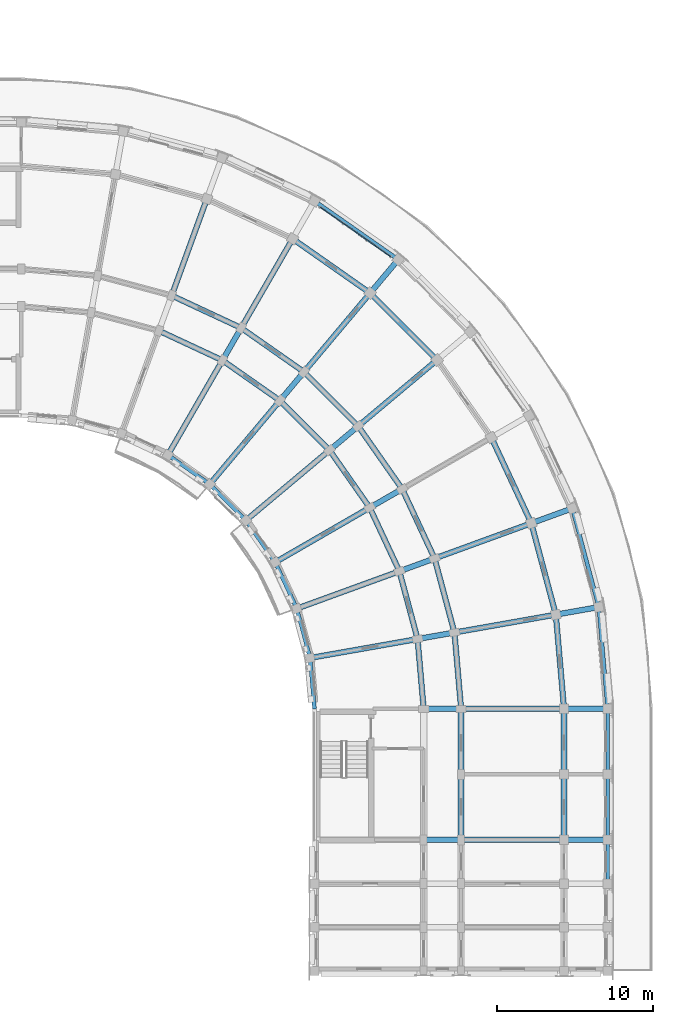
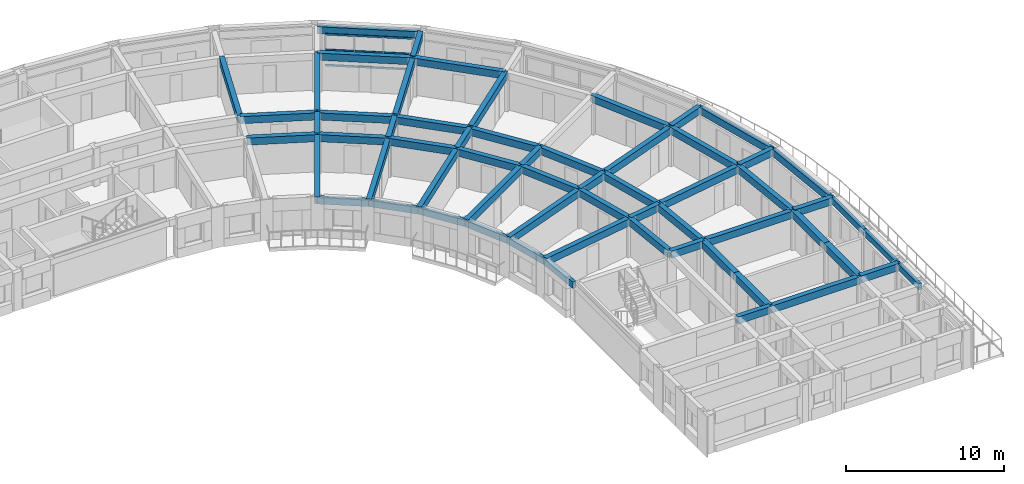
# One storey, part 7 of 36: 62 beams, 3 members, 1 element without a shape of its own.
"""IFC4 building model written with IfcOpenShell, lengths in metres."""

from ifc_helpers import new_model, si_unit, direction, frame, origin, origin_2d, place, context, subcontext, project, spatial, rectangle, extrude, material, material_profile, profile_set, type_object, element, aggregate, save


model = new_model("IFC4")

# Units and contexts
model_context = context("Model", 3, precision=1e-05, world=origin(), true_north=direction((0.0, 1.0)))
body_context = subcontext(model_context, "Body", "Model", "MODEL_VIEW")
ifc_project = project(units=[si_unit("LENGTHUNIT", "METRE"), si_unit("AREAUNIT", "SQUARE_METRE"), si_unit("VOLUMEUNIT", "CUBIC_METRE"), si_unit("PLANEANGLEUNIT", "RADIAN"), si_unit("MASSUNIT", "GRAM", prefix="KILO")], contexts=[model_context])

# Site, building, storey
site_placement = place(None, origin())
site = spatial("IfcSite", under=ifc_project, at=site_placement, CompositionType="ELEMENT")
building_placement = place(site_placement, origin())
building = spatial("IfcBuilding", under=site, at=building_placement, Name="Kiranvali Square Residences", CompositionType="ELEMENT")
storey_placement = place(building_placement, frame((0.0, 0.0, 37.050048828125)))
storey = spatial("IfcBuildingStorey", under=building, at=storey_placement, Name="L11", CompositionType="ELEMENT", Elevation=37.050048828125)

# Beams
ifc_material_1 = material(Name="Concrete M40 (40 MPa)", Category="concrete")
ifc_material_profile_1 = material_profile(ifc_material_1, rectangle(XDim=0.35009765625, YDim=0.550048828125, at=origin_2d()), Name="RC 350x550")
ifc_profile_set_1 = profile_set([ifc_material_profile_1], Name="Concrete M40 (40 MPa)")
beam_type_1 = type_object("IfcBeamType", Name="BM-M40-350x550", PredefinedType="BEAM", material=ifc_profile_set_1)
beam_1_placement = place(storey_placement, frame((128.6240234375, 112.044189453125, 2.655029296875), z_axis=(0.906307919131, -0.422617978463, 0.0), x_axis=(0.422617978463, 0.906307919131, 0.0)))
element("IfcBeam", 1, at=beam_1_placement, inside=storey, type_object=beam_type_1, Name="L11 beam BM-B-L11-C02-R1", PredefinedType="BEAM", context=body_context, shape_type="SweptSolid", body=[
    extrude(rectangle(XDim=0.35009765625, YDim=0.550048828125, at=origin_2d()), origin(), (0.0, 0.0, 1.0), 4.497314453125),
])
beam_2_placement = place(storey_placement, frame((129.445068359375, 114.29931640625, 2.655029296875), z_axis=(0.906302381024, -0.422629854778, 0.0), x_axis=(0.422629854778, 0.906302381024, 0.0)))
element("IfcBeam", 2, at=beam_2_placement, inside=storey, type_object=beam_type_1, Name="L11 beam BM-B-L11-C02-R2", PredefinedType="BEAM", context=body_context, shape_type="SweptSolid", body=[
    extrude(rectangle(XDim=0.35009765625, YDim=0.550048828125, at=origin_2d()), origin(), (0.0, 0.0, 1.0), 4.915283203125),
])
beam_3_placement = place(storey_placement, frame((132.699951171875, 110.1435546875, 2.655029296875), z_axis=(0.819155404658, -0.573571637217, 0.0), x_axis=(0.573571637217, 0.819155404658, 0.0)))
element("IfcBeam", 3, at=beam_3_placement, inside=storey, type_object=beam_type_1, Name="L11 beam BM-B-L11-C03-R1", PredefinedType="BEAM", context=body_context, shape_type="SweptSolid", body=[
    extrude(rectangle(XDim=0.35009765625, YDim=0.550048828125, at=origin_2d()), origin(), (0.0, 0.0, 1.0), 4.497314453125),
])
beam_4_placement = place(storey_placement, frame((133.89990234375, 112.221923828125, 2.655029296875), z_axis=(0.819140911474, -0.573592335331, 0.0), x_axis=(0.573592335331, 0.819140911474, 0.0)))
element("IfcBeam", 4, at=beam_4_placement, inside=storey, type_object=beam_type_1, Name="L11 beam BM-B-L11-C03-R2", PredefinedType="BEAM", context=body_context, shape_type="SweptSolid", body=[
    extrude(rectangle(XDim=0.35009765625, YDim=0.550048828125, at=origin_2d()), origin(), (0.0, 0.0, 1.0), 4.915771484375),
])
beam_5_placement = place(storey_placement, frame((137.199951171875, 117.937744140625, 2.655029296875), z_axis=(0.81913926159, -0.573594691504, 0.0), x_axis=(0.573594691504, 0.81913926159, 0.0)))
element("IfcBeam", 5, at=beam_5_placement, inside=storey, type_object=beam_type_1, Name="L11 beam BM-B-L11-C03-R3", PredefinedType="BEAM", context=body_context, shape_type="SweptSolid", body=[
    extrude(rectangle(XDim=0.35009765625, YDim=0.550048828125, at=origin_2d()), origin(), (0.0, 0.0, 1.0), 6.066162109375),
])
beam_6_placement = place(storey_placement, frame((136.384033203125, 107.56396484375, 2.655029296875), z_axis=(0.707106781187, -0.707106781187, 0.0), x_axis=(0.707106781187, 0.707106781187, 0.0)))
element("IfcBeam", 6, at=beam_6_placement, inside=storey, type_object=beam_type_1, Name="L11 beam BM-B-L11-C04-R1", PredefinedType="BEAM", context=body_context, shape_type="SweptSolid", body=[
    extrude(rectangle(XDim=0.35009765625, YDim=0.550048828125, at=origin_2d()), origin(), (0.0, 0.0, 1.0), 4.4970703125),
])
beam_7_placement = place(storey_placement, frame((137.926513671875, 109.40234375, 2.655029296875), z_axis=(0.707106781187, -0.707106781187, 0.0), x_axis=(0.707106781187, 0.707106781187, 0.0)))
element("IfcBeam", 7, at=beam_7_placement, inside=storey, type_object=beam_type_1, Name="L11 beam BM-B-L11-C04-R2", PredefinedType="BEAM", context=body_context, shape_type="SweptSolid", body=[
    extrude(rectangle(XDim=0.35009765625, YDim=0.550048828125, at=origin_2d()), origin(), (0.0, 0.0, 1.0), 4.91552734375),
])
beam_8_placement = place(storey_placement, frame((142.1689453125, 114.458251953125, 2.655029296875), z_axis=(0.707106781187, -0.707106781187, 0.0), x_axis=(0.707106781187, 0.707106781187, 0.0)))
element("IfcBeam", 8, at=beam_8_placement, inside=storey, type_object=beam_type_1, Name="L11 beam BM-B-L11-C04-R3", PredefinedType="BEAM", context=body_context, shape_type="SweptSolid", body=[
    extrude(rectangle(XDim=0.35009765625, YDim=0.550048828125, at=origin_2d()), origin(), (0.0, 0.0, 1.0), 6.06591796875),
])
beam_9_placement = place(storey_placement, frame((139.56396484375, 104.384033203125, 2.655029296875), z_axis=(0.573571637217, -0.819155404658, 0.0), x_axis=(0.819155404658, 0.573571637217, 0.0)))
element("IfcBeam", 9, at=beam_9_placement, inside=storey, type_object=beam_type_1, Name="L11 beam BM-B-L11-C05-R1", PredefinedType="BEAM", context=body_context, shape_type="SweptSolid", body=[
    extrude(rectangle(XDim=0.35009765625, YDim=0.550048828125, at=origin_2d()), origin(), (0.0, 0.0, 1.0), 4.497314453125),
])
beam_10_placement = place(storey_placement, frame((141.40234375, 105.926513671875, 2.655029296875), z_axis=(0.573592335331, -0.819140911474, 0.0), x_axis=(0.819140911474, 0.573592335331, 0.0)))
element("IfcBeam", 10, at=beam_10_placement, inside=storey, type_object=beam_type_1, Name="L11 beam BM-B-L11-C05-R2", PredefinedType="BEAM", context=body_context, shape_type="SweptSolid", body=[
    extrude(rectangle(XDim=0.35009765625, YDim=0.550048828125, at=origin_2d()), origin(), (0.0, 0.0, 1.0), 4.915771484375),
])
beam_11_placement = place(storey_placement, frame((142.1435546875, 100.699951171875, 2.655029296875), z_axis=(0.422617978463, -0.906307919131, 0.0), x_axis=(0.906307919131, 0.422617978463, 0.0)))
element("IfcBeam", 11, at=beam_11_placement, inside=storey, type_object=beam_type_1, Name="L11 beam BM-B-L11-C06-R1", PredefinedType="BEAM", context=body_context, shape_type="SweptSolid", body=[
    extrude(rectangle(XDim=0.35009765625, YDim=0.550048828125, at=origin_2d()), origin(), (0.0, 0.0, 1.0), 4.497314453125),
])
beam_12_placement = place(storey_placement, frame((144.221923828125, 101.89990234375, 2.655029296875), z_axis=(0.422629854778, -0.906302381024, 0.0), x_axis=(0.906302381024, 0.422629854778, 0.0)))
element("IfcBeam", 12, at=beam_12_placement, inside=storey, type_object=beam_type_1, Name="L11 beam BM-B-L11-C06-R2", PredefinedType="BEAM", context=body_context, shape_type="SweptSolid", body=[
    extrude(rectangle(XDim=0.35009765625, YDim=0.550048828125, at=origin_2d()), origin(), (0.0, 0.0, 1.0), 4.915283203125),
])
beam_13_placement = place(storey_placement, frame((149.937744140625, 105.199951171875, 2.655029296875), z_axis=(0.42260781991, -0.906312656069, 0.0), x_axis=(0.906312656069, 0.42260781991, 0.0)))
element("IfcBeam", 13, at=beam_13_placement, inside=storey, type_object=beam_type_1, Name="L11 beam BM-B-L11-C06-R3", PredefinedType="BEAM", context=body_context, shape_type="SweptSolid", body=[
    extrude(rectangle(XDim=0.35009765625, YDim=0.550048828125, at=origin_2d()), origin(), (0.0, 0.0, 1.0), 6.06591796875),
])
beam_14_placement = place(storey_placement, frame((144.044189453125, 96.6240234375, 2.655029296875), z_axis=(0.258787642463, -0.965934240054, 0.0), x_axis=(0.965934240054, 0.258787642463, 0.0)))
element("IfcBeam", 14, at=beam_14_placement, inside=storey, type_object=beam_type_1, Name="L11 beam BM-B-L11-C07-R1", PredefinedType="BEAM", context=body_context, shape_type="SweptSolid", body=[
    extrude(rectangle(XDim=0.35009765625, YDim=0.550048828125, at=origin_2d()), origin(), (0.0, 0.0, 1.0), 4.497314453125),
])
beam_15_placement = place(storey_placement, frame((146.29931640625, 97.445068359375, 2.655029296875), z_axis=(0.258803112091, -0.965930095386, 0.0), x_axis=(0.965930095386, 0.258803112091, 0.0)))
element("IfcBeam", 15, at=beam_15_placement, inside=storey, type_object=beam_type_1, Name="L11 beam BM-B-L11-C07-R2", PredefinedType="BEAM", context=body_context, shape_type="SweptSolid", body=[
    extrude(rectangle(XDim=0.35009765625, YDim=0.550048828125, at=origin_2d()), origin(), (0.0, 0.0, 1.0), 4.915771484375),
])
beam_16_placement = place(storey_placement, frame((152.501220703125, 99.702392578125, 2.655029296875), z_axis=(0.258827283048, -0.965923618901, 0.0), x_axis=(0.965923618901, 0.258827283048, 0.0)))
element("IfcBeam", 16, at=beam_16_placement, inside=storey, type_object=beam_type_1, Name="L11 beam BM-B-L11-C07-R3", PredefinedType="BEAM", context=body_context, shape_type="SweptSolid", body=[
    extrude(rectangle(XDim=0.35009765625, YDim=0.550048828125, at=origin_2d()), origin(), (0.0, 0.0, 1.0), 6.066162109375),
])
beam_17_placement = place(storey_placement, frame((145.2080078125, 92.280029296875, 2.655029296875), z_axis=(0.087187153726, -0.996191949488, 0.0), x_axis=(0.996191949488, 0.087187153726, 0.0)))
element("IfcBeam", 17, at=beam_17_placement, inside=storey, type_object=beam_type_1, Name="L11 beam BM-B-L11-C08-R1", PredefinedType="BEAM", context=body_context, shape_type="SweptSolid", body=[
    extrude(rectangle(XDim=0.35009765625, YDim=0.550048828125, at=origin_2d()), origin(), (0.0, 0.0, 1.0), 4.4970703125),
])
beam_18_placement = place(storey_placement, frame((147.571533203125, 92.69677734375, 2.655029296875), z_axis=(0.087167566415, -0.996193663584, 0.0), x_axis=(0.996193663584, 0.087167566415, 0.0)))
element("IfcBeam", 18, at=beam_18_placement, inside=storey, type_object=beam_type_1, Name="L11 beam BM-B-L11-C08-R2", PredefinedType="BEAM", context=body_context, shape_type="SweptSolid", body=[
    extrude(rectangle(XDim=0.35009765625, YDim=0.550048828125, at=origin_2d()), origin(), (0.0, 0.0, 1.0), 4.91552734375),
])
beam_19_placement = place(storey_placement, frame((154.0712890625, 93.843017578125, 2.655029296875), z_axis=(0.087174938512, -0.996193018494, 0.0), x_axis=(0.996193018494, 0.087174938512, 0.0)))
element("IfcBeam", 19, at=beam_19_placement, inside=storey, type_object=beam_type_1, Name="L11 beam BM-B-L11-C08-R3", PredefinedType="BEAM", context=body_context, shape_type="SweptSolid", body=[
    extrude(rectangle(XDim=0.35009765625, YDim=0.550048828125, at=origin_2d()), origin(), (0.0, 0.0, 1.0), 6.066162109375),
])
beam_20_placement = place(storey_placement, frame((129.445068359375, 114.29931640625, 2.655029296875), z_axis=(0.342022238372, 0.939691858249, 0.0), x_axis=(-0.939691858249, 0.342022238372, 0.0)))
element("IfcBeam", 20, at=beam_20_placement, inside=storey, type_object=beam_type_1, Name="L11 beam BM-B-L11-RAD02-23", PredefinedType="BEAM", context=body_context, shape_type="SweptSolid", body=[
    extrude(rectangle(XDim=0.35009765625, YDim=0.550048828125, at=origin_2d()), origin(), (0.0, 0.0, 1.0), 6.599853515625),
])
beam_21_placement = place(storey_placement, frame((129.199951171875, 104.081298828125, 2.655029296875), z_axis=(0.499995173006, 0.866028190633, 0.0), x_axis=(-0.866028190633, 0.499995173006, 0.0)))
element("IfcBeam", 21, at=beam_21_placement, inside=storey, type_object=beam_type_1, Name="L11 beam BM-B-L11-RAD03-01", PredefinedType="BEAM", context=body_context, shape_type="SweptSolid", body=[
    extrude(rectangle(XDim=0.35009765625, YDim=0.550048828125, at=origin_2d()), origin(), (0.0, 0.0, 1.0), 7.0),
])
beam_22_placement = place(storey_placement, frame((132.699951171875, 110.1435546875, 2.655029296875), z_axis=(0.500001309137, 0.866024647952, 0.0), x_axis=(-0.866024647952, 0.500001309137, 0.0)))
element("IfcBeam", 22, at=beam_22_placement, inside=storey, type_object=beam_type_1, Name="L11 beam BM-B-L11-RAD03-12", PredefinedType="BEAM", context=body_context, shape_type="SweptSolid", body=[
    extrude(rectangle(XDim=0.35009765625, YDim=0.550048828125, at=origin_2d()), origin(), (0.0, 0.0, 1.0), 2.39990234375),
])
beam_23_placement = place(storey_placement, frame((133.89990234375, 112.221923828125, 2.655029296875), z_axis=(0.500002094529, 0.866024194504, 0.0), x_axis=(-0.866024194504, 0.500002094529, 0.0)))
element("IfcBeam", 23, at=beam_23_placement, inside=storey, type_object=beam_type_1, Name="L11 beam BM-B-L11-RAD03-23", PredefinedType="BEAM", context=body_context, shape_type="SweptSolid", body=[
    extrude(rectangle(XDim=0.35009765625, YDim=0.550048828125, at=origin_2d()), origin(), (0.0, 0.0, 1.0), 6.60009765625),
])
beam_24_placement = place(storey_placement, frame((131.884521484375, 102.20166015625, 2.655029296875), z_axis=(0.642787931032, 0.766044173478, 0.0), x_axis=(-0.766044173478, 0.642787931032, 0.0)))
element("IfcBeam", 24, at=beam_24_placement, inside=storey, type_object=beam_type_1, Name="L11 beam BM-B-L11-RAD04-01", PredefinedType="BEAM", context=body_context, shape_type="SweptSolid", body=[
    extrude(rectangle(XDim=0.35009765625, YDim=0.550048828125, at=origin_2d()), origin(), (0.0, 0.0, 1.0), 7.0),
])
beam_25_placement = place(storey_placement, frame((136.384033203125, 107.56396484375, 2.655029296875), z_axis=(0.642762521781, 0.766065493671, 0.0), x_axis=(-0.766065493671, 0.642762521781, 0.0)))
element("IfcBeam", 25, at=beam_25_placement, inside=storey, type_object=beam_type_1, Name="L11 beam BM-B-L11-RAD04-12", PredefinedType="BEAM", context=body_context, shape_type="SweptSolid", body=[
    extrude(rectangle(XDim=0.35009765625, YDim=0.550048828125, at=origin_2d()), origin(), (0.0, 0.0, 1.0), 2.399658203125),
])
beam_26_placement = place(storey_placement, frame((137.926513671875, 109.40234375, 2.655029296875), z_axis=(0.642789470807, 0.766042881449, 0.0), x_axis=(-0.766042881449, 0.642789470807, 0.0)))
element("IfcBeam", 26, at=beam_26_placement, inside=storey, type_object=beam_type_1, Name="L11 beam BM-B-L11-RAD04-23", PredefinedType="BEAM", context=body_context, shape_type="SweptSolid", body=[
    extrude(rectangle(XDim=0.35009765625, YDim=0.550048828125, at=origin_2d()), origin(), (0.0, 0.0, 1.0), 6.60009765625),
])
beam_27_placement = place(storey_placement, frame((142.1689453125, 114.458251953125, 2.695068359375), z_axis=(0.642770757628, 0.766058583359, 0.0), x_axis=(-0.766058583359, 0.642770757628, 0.0)))
element("IfcBeam", 27, at=beam_27_placement, inside=storey, type_object=beam_type_1, Name="L11 beam BM-B-L11-RAD04-34", PredefinedType="BEAM", context=body_context, shape_type="SweptSolid", body=[
    extrude(rectangle(XDim=0.35009765625, YDim=0.550048828125, at=origin_2d()), origin(), (0.0, 0.0, 1.0), 2.800048828125),
])
beam_28_placement = place(storey_placement, frame((134.20166015625, 99.884521484375, 2.655029296875), z_axis=(0.766044173478, 0.642787931032, 0.0), x_axis=(-0.642787931032, 0.766044173478, 0.0)))
element("IfcBeam", 28, at=beam_28_placement, inside=storey, type_object=beam_type_1, Name="L11 beam BM-B-L11-RAD05-01", PredefinedType="BEAM", context=body_context, shape_type="SweptSolid", body=[
    extrude(rectangle(XDim=0.35009765625, YDim=0.550048828125, at=origin_2d()), origin(), (0.0, 0.0, 1.0), 7.0),
])
beam_29_placement = place(storey_placement, frame((139.56396484375, 104.384033203125, 2.655029296875), z_axis=(0.766065493671, 0.642762521781, 0.0), x_axis=(-0.642762521781, 0.766065493671, 0.0)))
element("IfcBeam", 29, at=beam_29_placement, inside=storey, type_object=beam_type_1, Name="L11 beam BM-B-L11-RAD05-12", PredefinedType="BEAM", context=body_context, shape_type="SweptSolid", body=[
    extrude(rectangle(XDim=0.35009765625, YDim=0.550048828125, at=origin_2d()), origin(), (0.0, 0.0, 1.0), 2.399658203125),
])
beam_30_placement = place(storey_placement, frame((141.40234375, 105.926513671875, 2.655029296875), z_axis=(0.766042881449, 0.642789470807, 0.0), x_axis=(-0.642789470807, 0.766042881449, 0.0)))
element("IfcBeam", 30, at=beam_30_placement, inside=storey, type_object=beam_type_1, Name="L11 beam BM-B-L11-RAD05-23", PredefinedType="BEAM", context=body_context, shape_type="SweptSolid", body=[
    extrude(rectangle(XDim=0.35009765625, YDim=0.550048828125, at=origin_2d()), origin(), (0.0, 0.0, 1.0), 6.60009765625),
])
beam_31_placement = place(storey_placement, frame((136.081298828125, 97.199951171875, 2.655029296875), z_axis=(0.866028190633, 0.499995173006, 0.0), x_axis=(-0.499995173006, 0.866028190633, 0.0)))
element("IfcBeam", 31, at=beam_31_placement, inside=storey, type_object=beam_type_1, Name="L11 beam BM-B-L11-RAD06-01", PredefinedType="BEAM", context=body_context, shape_type="SweptSolid", body=[
    extrude(rectangle(XDim=0.35009765625, YDim=0.550048828125, at=origin_2d()), origin(), (0.0, 0.0, 1.0), 7.0),
])
beam_32_placement = place(storey_placement, frame((142.1435546875, 100.699951171875, 2.655029296875), z_axis=(0.866024647952, 0.500001309137, 0.0), x_axis=(-0.500001309137, 0.866024647952, 0.0)))
element("IfcBeam", 32, at=beam_32_placement, inside=storey, type_object=beam_type_1, Name="L11 beam BM-B-L11-RAD06-12", PredefinedType="BEAM", context=body_context, shape_type="SweptSolid", body=[
    extrude(rectangle(XDim=0.35009765625, YDim=0.550048828125, at=origin_2d()), origin(), (0.0, 0.0, 1.0), 2.39990234375),
])
beam_33_placement = place(storey_placement, frame((137.46630859375, 94.22998046875, 2.655029296875), z_axis=(0.939697665127, 0.342006283793, 0.0), x_axis=(-0.342006283793, 0.939697665127, 0.0)))
element("IfcBeam", 33, at=beam_33_placement, inside=storey, type_object=beam_type_1, Name="L11 beam BM-B-L11-RAD07-01", PredefinedType="BEAM", context=body_context, shape_type="SweptSolid", body=[
    extrude(rectangle(XDim=0.35009765625, YDim=0.550048828125, at=origin_2d()), origin(), (0.0, 0.0, 1.0), 7.0),
])
beam_34_placement = place(storey_placement, frame((144.044189453125, 96.6240234375, 2.655029296875), z_axis=(0.939659694648, 0.342110593602, 0.0), x_axis=(-0.342110593602, 0.939659694648, 0.0)))
element("IfcBeam", 34, at=beam_34_placement, inside=storey, type_object=beam_type_1, Name="L11 beam BM-B-L11-RAD07-12", PredefinedType="BEAM", context=body_context, shape_type="SweptSolid", body=[
    extrude(rectangle(XDim=0.35009765625, YDim=0.550048828125, at=origin_2d()), origin(), (0.0, 0.0, 1.0), 2.39990234375),
])
beam_35_placement = place(storey_placement, frame((146.29931640625, 97.445068359375, 2.655029296875), z_axis=(0.939691858249, 0.342022238372, 0.0), x_axis=(-0.342022238372, 0.939691858249, 0.0)))
element("IfcBeam", 35, at=beam_35_placement, inside=storey, type_object=beam_type_1, Name="L11 beam BM-B-L11-RAD07-23", PredefinedType="BEAM", context=body_context, shape_type="SweptSolid", body=[
    extrude(rectangle(XDim=0.35009765625, YDim=0.550048828125, at=origin_2d()), origin(), (0.0, 0.0, 1.0), 6.599853515625),
])
beam_36_placement = place(storey_placement, frame((152.501220703125, 99.702392578125, 2.695068359375), z_axis=(0.93970683422, 0.341981089711, 0.0), x_axis=(-0.341981089711, 0.93970683422, 0.0)))
element("IfcBeam", 36, at=beam_36_placement, inside=storey, type_object=beam_type_1, Name="L11 beam BM-B-L11-RAD07-34", PredefinedType="BEAM", context=body_context, shape_type="SweptSolid", body=[
    extrude(rectangle(XDim=0.35009765625, YDim=0.550048828125, at=origin_2d()), origin(), (0.0, 0.0, 1.0), 2.7998046875),
])
beam_37_placement = place(storey_placement, frame((138.314453125, 91.064697265625, 2.655029296875), z_axis=(0.984812337125, 0.173622177865, 0.0), x_axis=(-0.173622177865, 0.984812337125, 0.0)))
element("IfcBeam", 37, at=beam_37_placement, inside=storey, type_object=beam_type_1, Name="L11 beam BM-B-L11-RAD08-01", PredefinedType="BEAM", context=body_context, shape_type="SweptSolid", body=[
    extrude(rectangle(XDim=0.35009765625, YDim=0.550048828125, at=origin_2d()), origin(), (0.0, 0.0, 1.0), 6.999755859375),
])
beam_38_placement = place(storey_placement, frame((145.2080078125, 92.280029296875, 2.655029296875), z_axis=(0.984808127031, 0.173646056486, 0.0), x_axis=(-0.173646056486, 0.984808127031, 0.0)))
element("IfcBeam", 38, at=beam_38_placement, inside=storey, type_object=beam_type_1, Name="L11 beam BM-B-L11-RAD08-12", PredefinedType="BEAM", context=body_context, shape_type="SweptSolid", body=[
    extrude(rectangle(XDim=0.35009765625, YDim=0.550048828125, at=origin_2d()), origin(), (0.0, 0.0, 1.0), 2.39990234375),
])
beam_39_placement = place(storey_placement, frame((147.571533203125, 92.69677734375, 2.655029296875), z_axis=(0.984803661269, 0.173671381499, 0.0), x_axis=(-0.173671381499, 0.984803661269, 0.0)))
element("IfcBeam", 39, at=beam_39_placement, inside=storey, type_object=beam_type_1, Name="L11 beam BM-B-L11-RAD08-23", PredefinedType="BEAM", context=body_context, shape_type="SweptSolid", body=[
    extrude(rectangle(XDim=0.35009765625, YDim=0.550048828125, at=origin_2d()), origin(), (0.0, 0.0, 1.0), 6.60009765625),
])
beam_40_placement = place(storey_placement, frame((154.0712890625, 93.843017578125, 2.695068359375), z_axis=(0.984816895441, 0.173596320392, 0.0), x_axis=(-0.173596320392, 0.984816895441, 0.0)))
element("IfcBeam", 40, at=beam_40_placement, inside=storey, type_object=beam_type_1, Name="L11 beam BM-B-L11-RAD08-34", PredefinedType="BEAM", context=body_context, shape_type="SweptSolid", body=[
    extrude(rectangle(XDim=0.35009765625, YDim=0.550048828125, at=origin_2d()), origin(), (0.0, 0.0, 1.0), 2.800048828125),
])
beam_41_placement = place(storey_placement, frame((145.60009765625, 87.800048828125, 2.655029296875), z_axis=(1.0, 0.0, 0.0), x_axis=(0.0, 1.0, 0.0)))
element("IfcBeam", 41, at=beam_41_placement, inside=storey, type_object=beam_type_1, Name="L11 beam BM-B-L11-A2T0-12", PredefinedType="BEAM", context=body_context, shape_type="SweptSolid", body=[
    extrude(rectangle(XDim=0.35009765625, YDim=0.550048828125, at=origin_2d()), origin(), (0.0, 0.0, 1.0), 2.39990234375),
])
beam_42_placement = place(storey_placement, frame((148.0, 87.800048828125, 2.655029296875), z_axis=(1.0, 0.0, 0.0), x_axis=(0.0, 1.0, 0.0)))
element("IfcBeam", 42, at=beam_42_placement, inside=storey, type_object=beam_type_1, Name="L11 beam BM-B-L11-A2T0-23", PredefinedType="BEAM", context=body_context, shape_type="SweptSolid", body=[
    extrude(rectangle(XDim=0.35009765625, YDim=0.550048828125, at=origin_2d()), origin(), (0.0, 0.0, 1.0), 6.60009765625),
])
beam_43_placement = place(storey_placement, frame((154.60009765625, 87.800048828125, 2.695068359375), z_axis=(1.0, 0.0, 0.0), x_axis=(0.0, 1.0, 0.0)))
element("IfcBeam", 43, at=beam_43_placement, inside=storey, type_object=beam_type_1, Name="L11 beam BM-B-L11-A2T0-34", PredefinedType="BEAM", context=body_context, shape_type="SweptSolid", body=[
    extrude(rectangle(XDim=0.35009765625, YDim=0.550048828125, at=origin_2d()), origin(), (0.0, 0.0, 1.0), 2.7998046875),
])
beam_44_placement = place(storey_placement, frame((145.60009765625, 79.39990234375, 2.655029296875), z_axis=(1.0, 0.0, 0.0), x_axis=(0.0, 1.0, 0.0)))
element("IfcBeam", 44, at=beam_44_placement, inside=storey, type_object=beam_type_1, Name="L11 beam BM-B-L11-A2T1-12", PredefinedType="BEAM", context=body_context, shape_type="SweptSolid", body=[
    extrude(rectangle(XDim=0.35009765625, YDim=0.550048828125, at=origin_2d()), origin(), (0.0, 0.0, 1.0), 2.39990234375),
])
beam_45_placement = place(storey_placement, frame((148.0, 79.39990234375, 2.655029296875), z_axis=(1.0, 0.0, 0.0), x_axis=(0.0, 1.0, 0.0)))
element("IfcBeam", 45, at=beam_45_placement, inside=storey, type_object=beam_type_1, Name="L11 beam BM-B-L11-A2T1-23", PredefinedType="BEAM", context=body_context, shape_type="SweptSolid", body=[
    extrude(rectangle(XDim=0.35009765625, YDim=0.550048828125, at=origin_2d()), origin(), (0.0, 0.0, 1.0), 6.60009765625),
])
beam_46_placement = place(storey_placement, frame((154.60009765625, 79.39990234375, 2.695068359375), z_axis=(1.0, 0.0, 0.0), x_axis=(0.0, 1.0, 0.0)))
element("IfcBeam", 46, at=beam_46_placement, inside=storey, type_object=beam_type_1, Name="L11 beam BM-B-L11-A2T1-34", PredefinedType="BEAM", context=body_context, shape_type="SweptSolid", body=[
    extrude(rectangle(XDim=0.35009765625, YDim=0.550048828125, at=origin_2d()), origin(), (0.0, 0.0, 1.0), 2.7998046875),
])
ifc_material_2 = material(Name="Concrete M45 (45 MPa)", Category="concrete")
ifc_material_profile_2 = material_profile(ifc_material_2, rectangle(XDim=0.39990234375, YDim=0.550048828125, at=origin_2d()), Name="RC 400x550")
ifc_profile_set_2 = profile_set([ifc_material_profile_2], Name="Concrete M45 (45 MPa)")
beam_type_2 = type_object("IfcBeamType", Name="BM-M45-400x550", PredefinedType="BEAM", material=ifc_profile_set_2)
beam_47_placement = place(storey_placement, frame((148.0, 87.800048828125, 2.655029296875), z_axis=(0.0, -1.0, 0.0), x_axis=(1.0, 0.0, 0.0)))
element("IfcBeam", 47, at=beam_47_placement, inside=storey, type_object=beam_type_2, Name="L11 beam BM-B-L11-A2V0-R2", PredefinedType="BEAM", context=body_context, shape_type="SweptSolid", body=[
    extrude(rectangle(XDim=0.39990234375, YDim=0.550048828125, at=origin_2d()), origin(), (0.0, 0.0, 1.0), 4.199951171875),
])
beam_48_placement = place(storey_placement, frame((148.0, 83.60009765625, 2.655029296875), z_axis=(0.0, -1.0, 0.0), x_axis=(1.0, 0.0, 0.0)))
element("IfcBeam", 48, at=beam_48_placement, inside=storey, type_object=beam_type_2, Name="L11 beam BM-B-L11-A2V1-R2", PredefinedType="BEAM", context=body_context, shape_type="SweptSolid", body=[
    extrude(rectangle(XDim=0.39990234375, YDim=0.550048828125, at=origin_2d()), origin(), (0.0, 0.0, 1.0), 4.2001953125),
])
beam_49_placement = place(storey_placement, frame((154.60009765625, 87.800048828125, 2.655029296875), z_axis=(0.0, -1.0, 0.0), x_axis=(1.0, 0.0, 0.0)))
element("IfcBeam", 49, at=beam_49_placement, inside=storey, type_object=beam_type_2, Name="L11 beam BM-B-L11-A2V0-R3", PredefinedType="BEAM", context=body_context, shape_type="SweptSolid", body=[
    extrude(rectangle(XDim=0.39990234375, YDim=0.550048828125, at=origin_2d()), origin(), (0.0, 0.0, 1.0), 4.199951171875),
])
beam_50_placement = place(storey_placement, frame((154.60009765625, 83.60009765625, 2.655029296875), z_axis=(0.0, -1.0, 0.0), x_axis=(1.0, 0.0, 0.0)))
element("IfcBeam", 50, at=beam_50_placement, inside=storey, type_object=beam_type_2, Name="L11 beam BM-B-L11-A2V1-R3", PredefinedType="BEAM", context=body_context, shape_type="SweptSolid", body=[
    extrude(rectangle(XDim=0.39990234375, YDim=0.550048828125, at=origin_2d()), origin(), (0.0, 0.0, 1.0), 4.2001953125),
])

# Curtain wall, members
ifc_material_3 = material(Name="Anodised bronze aluminium framing", Category="aluminium")
curtain_wall_type = type_object("IfcCurtainWallType", Name="CW-RES-LOG", PredefinedType="USERDEFINED", material=ifc_material_3)
curtain_wall_placement = place(storey_placement, origin())
curtain_wall = element("IfcCurtainWall", 51, at=curtain_wall_placement, inside=storey, type_object=curtain_wall_type, Name="Block B L11 stepped curved terrace loggia 4", ObjectType="CURTAIN WALL", PredefinedType="USERDEFINED")
ifc_material_profile_3 = material_profile(ifc_material_3, rectangle(XDim=0.06494140625, YDim=0.139892578125, at=origin_2d()), Name="ALU 65x140")
ifc_profile_set_3 = profile_set([ifc_material_profile_3], Name="Anodised bronze aluminium framing")
member_type = type_object("IfcMemberType", Name="CW-TRN-140", PredefinedType="MULLION", material=ifc_profile_set_3)
member_1_placement = place(storey_placement, frame((138.948974609375, 119.9716796875, 0.0400390625), z_axis=(0.819161445828, -0.573563009328, 0.0), x_axis=(0.573563009328, 0.819161445828, 0.0)))
member_1 = element("IfcMember", 52, at=member_1_placement, type_object=member_type, Name="CW-B-L11-TER-03 horizontal transom 1", PredefinedType="MULLION", context=body_context, shape_type="SweptSolid", body=[
    extrude(rectangle(XDim=0.06494140625, YDim=0.139892578125, at=origin_2d()), origin(), (0.0, 0.0, 1.0), 5.533935546875),
])
member_2_placement = place(storey_placement, frame((138.948974609375, 119.9716796875, 1.239990234375), z_axis=(0.819161445828, -0.573563009328, 0.0), x_axis=(0.573563009328, 0.819161445828, 0.0)))
member_2 = element("IfcMember", 53, at=member_2_placement, type_object=member_type, Name="CW-B-L11-TER-03 horizontal transom 2", PredefinedType="MULLION", context=body_context, shape_type="SweptSolid", body=[
    extrude(rectangle(XDim=0.06494140625, YDim=0.139892578125, at=origin_2d()), origin(), (0.0, 0.0, 1.0), 5.533935546875),
])
member_3_placement = place(storey_placement, frame((138.948974609375, 119.9716796875, 2.43994140625), z_axis=(0.819161445828, -0.573563009328, 0.0), x_axis=(0.573563009328, 0.819161445828, 0.0)))
member_3 = element("IfcMember", 54, at=member_3_placement, type_object=member_type, Name="CW-B-L11-TER-03 horizontal transom 3", PredefinedType="MULLION", context=body_context, shape_type="SweptSolid", body=[
    extrude(rectangle(XDim=0.06494140625, YDim=0.139892578125, at=origin_2d()), origin(), (0.0, 0.0, 1.0), 5.533935546875),
])
aggregate(curtain_wall, [member_1, member_2, member_3])

# Beams
ifc_material_profile_4 = material_profile(ifc_material_1, rectangle(XDim=0.25, YDim=0.449951171875, at=origin_2d()), Name="RC 250x450")
ifc_profile_set_4 = profile_set([ifc_material_profile_4], Name="Concrete M40 (40 MPa)")
beam_type_3 = type_object("IfcBeamType", Name="SPN-M40-250x450", PredefinedType="SPANDREL", material=ifc_profile_set_4)
beam_51_placement = place(storey_placement, frame((157.39990234375, 87.800048828125, 2.744873046875), z_axis=(0.0, -1.0, 0.0), x_axis=(1.0, 0.0, 0.0)))
element("IfcBeam", 55, at=beam_51_placement, inside=storey, type_object=beam_type_3, Name="L11 beam BM-B-L11-A2V0-R4", PredefinedType="SPANDREL", context=body_context, shape_type="SweptSolid", body=[
    extrude(rectangle(XDim=0.25, YDim=0.449951171875, at=origin_2d()), origin(), (0.0, 0.0, 1.0), 4.199951171875),
])
beam_52_placement = place(storey_placement, frame((157.39990234375, 83.60009765625, 2.744873046875), z_axis=(0.0, -1.0, 0.0), x_axis=(1.0, 0.0, 0.0)))
element("IfcBeam", 56, at=beam_52_placement, inside=storey, type_object=beam_type_3, Name="L11 beam BM-B-L11-A2V1-R4", PredefinedType="SPANDREL", context=body_context, shape_type="SweptSolid", body=[
    extrude(rectangle(XDim=0.25, YDim=0.449951171875, at=origin_2d()), origin(), (0.0, 0.0, 1.0), 4.2001953125),
])
beam_53_placement = place(storey_placement, frame((157.39990234375, 79.39990234375, 2.744873046875), z_axis=(0.0, -1.0, 0.0), x_axis=(1.0, 0.0, 0.0)))
element("IfcBeam", 57, at=beam_53_placement, inside=storey, type_object=beam_type_3, Name="L11 beam BM-B-L11-A2V2-R4", PredefinedType="SPANDREL", context=body_context, shape_type="SweptSolid", body=[
    extrude(rectangle(XDim=0.25, YDim=0.449951171875, at=origin_2d()), origin(), (0.0, 0.0, 1.0), 2.7998046875),
])
ifc_material_profile_5 = material_profile(ifc_material_1, rectangle(XDim=0.25, YDim=0.5, at=origin_2d()), Name="RC 250x500")
ifc_profile_set_5 = profile_set([ifc_material_profile_5], Name="Concrete M40 (40 MPa)")
beam_type_4 = type_object("IfcBeamType", Name="SPN-M40-250x500", PredefinedType="SPANDREL", material=ifc_profile_set_5)
beam_54_placement = place(storey_placement, frame((129.199951171875, 104.081298828125, 2.679931640625), z_axis=(0.81916891812, -0.573552337269, 0.0), x_axis=(0.573552337269, 0.81916891812, 0.0)))
element("IfcBeam", 58, at=beam_54_placement, inside=storey, type_object=beam_type_4, Name="L11 beam BM-B-L11-C03-R0", PredefinedType="SPANDREL", context=body_context, shape_type="SweptSolid", body=[
    extrude(rectangle(XDim=0.25, YDim=0.5, at=origin_2d()), origin(), (0.0, 0.0, 1.0), 3.277099609375),
])
beam_55_placement = place(storey_placement, frame((131.884521484375, 102.20166015625, 2.679931640625), z_axis=(0.707106781187, -0.707106781187, 0.0), x_axis=(0.707106781187, 0.707106781187, 0.0)))
element("IfcBeam", 59, at=beam_55_placement, inside=storey, type_object=beam_type_4, Name="L11 beam BM-B-L11-C04-R0", PredefinedType="SPANDREL", context=body_context, shape_type="SweptSolid", body=[
    extrude(rectangle(XDim=0.25, YDim=0.5, at=origin_2d()), origin(), (0.0, 0.0, 1.0), 3.27685546875),
])
for number, where, z_axis, x_axis, name in (
    (60, (134.20166015625, 99.884521484375, 2.679931640625), (0.573552337269, -0.81916891812, 0.0), (0.81916891812, 0.573552337269, 0.0), "L11 beam BM-B-L11-C05-R0"),
    (61, (136.081298828125, 97.199951171875, 2.679931640625), (0.422640740585, -0.90629730464, 0.0), (0.90629730464, 0.422640740585, 0.0), "L11 beam BM-B-L11-C06-R0"),
):
    element("IfcBeam", number, at=place(storey_placement, frame(where, z_axis=z_axis, x_axis=x_axis)), inside=storey, type_object=beam_type_4, Name=name, PredefinedType="SPANDREL", context=body_context, shape_type="SweptSolid", body=[
        extrude(rectangle(XDim=0.25, YDim=0.5, at=origin_2d()), origin(), (0.0, 0.0, 1.0), 3.277099609375),
    ])
beam_56_placement = place(storey_placement, frame((137.46630859375, 94.22998046875, 2.679931640625), z_axis=(0.258821736607, -0.965925105099, 0.0), x_axis=(0.965925105099, 0.258821736607, 0.0)))
element("IfcBeam", 62, at=beam_56_placement, inside=storey, type_object=beam_type_4, Name="L11 beam BM-B-L11-C07-R0", PredefinedType="SPANDREL", context=body_context, shape_type="SweptSolid", body=[
    extrude(rectangle(XDim=0.25, YDim=0.5, at=origin_2d()), origin(), (0.0, 0.0, 1.0), 3.27685546875),
])
beam_57_placement = place(storey_placement, frame((138.314453125, 91.064697265625, 2.679931640625), z_axis=(0.087163253657, -0.996194040944, 0.0), x_axis=(0.996194040944, 0.087163253657, 0.0)))
element("IfcBeam", 63, at=beam_57_placement, inside=storey, type_object=beam_type_4, Name="L11 beam BM-B-L11-C08-R0", PredefinedType="SPANDREL", context=body_context, shape_type="SweptSolid", body=[
    extrude(rectangle(XDim=0.25, YDim=0.5, at=origin_2d()), origin(), (0.0, 0.0, 1.0), 3.277099609375),
])
ifc_material_profile_6 = material_profile(ifc_material_1, rectangle(XDim=0.25, YDim=0.550048828125, at=origin_2d()), Name="RC 250x550")
ifc_profile_set_6 = profile_set([ifc_material_profile_6], Name="Concrete M40 (40 MPa)")
beam_type_5 = type_object("IfcBeamType", Name="SPN-M40-250x550", PredefinedType="SPANDREL", material=ifc_profile_set_6)
beam_58_placement = place(storey_placement, frame((138.60009765625, 120.362548828125, 2.695068359375), z_axis=(0.819144409176, -0.573587340268, 0.0), x_axis=(0.573587340268, 0.819144409176, 0.0)))
element("IfcBeam", 64, at=beam_58_placement, inside=storey, type_object=beam_type_5, Name="L11 beam BM-B-L11-C03-R4", PredefinedType="SPANDREL", context=body_context, shape_type="SweptSolid", body=[
    extrude(rectangle(XDim=0.25, YDim=0.550048828125, at=origin_2d()), origin(), (0.0, 0.0, 1.0), 6.553955078125),
])
beam_59_placement = place(storey_placement, frame((155.13232421875, 100.659912109375, 2.695068359375), z_axis=(0.258847178297, -0.965918287583, 0.0), x_axis=(0.965918287583, 0.258847178297, 0.0)))
element("IfcBeam", 65, at=beam_59_placement, inside=storey, type_object=beam_type_5, Name="L11 beam BM-B-L11-C07-R4", PredefinedType="SPANDREL", context=body_context, shape_type="SweptSolid", body=[
    extrude(rectangle(XDim=0.25, YDim=0.550048828125, at=origin_2d()), origin(), (0.0, 0.0, 1.0), 6.55419921875),
])
beam_60_placement = place(storey_placement, frame((156.828857421875, 94.3291015625, 2.695068359375), z_axis=(0.0871295204, -0.996196991902, 0.0), x_axis=(0.996196991902, 0.0871295204, 0.0)))
element("IfcBeam", 66, at=beam_60_placement, inside=storey, type_object=beam_type_5, Name="L11 beam BM-B-L11-C08-R4", PredefinedType="SPANDREL", context=body_context, shape_type="SweptSolid", body=[
    extrude(rectangle(XDim=0.25, YDim=0.550048828125, at=origin_2d()), origin(), (0.0, 0.0, 1.0), 6.553955078125),
])

save(model, "model.ifc")
